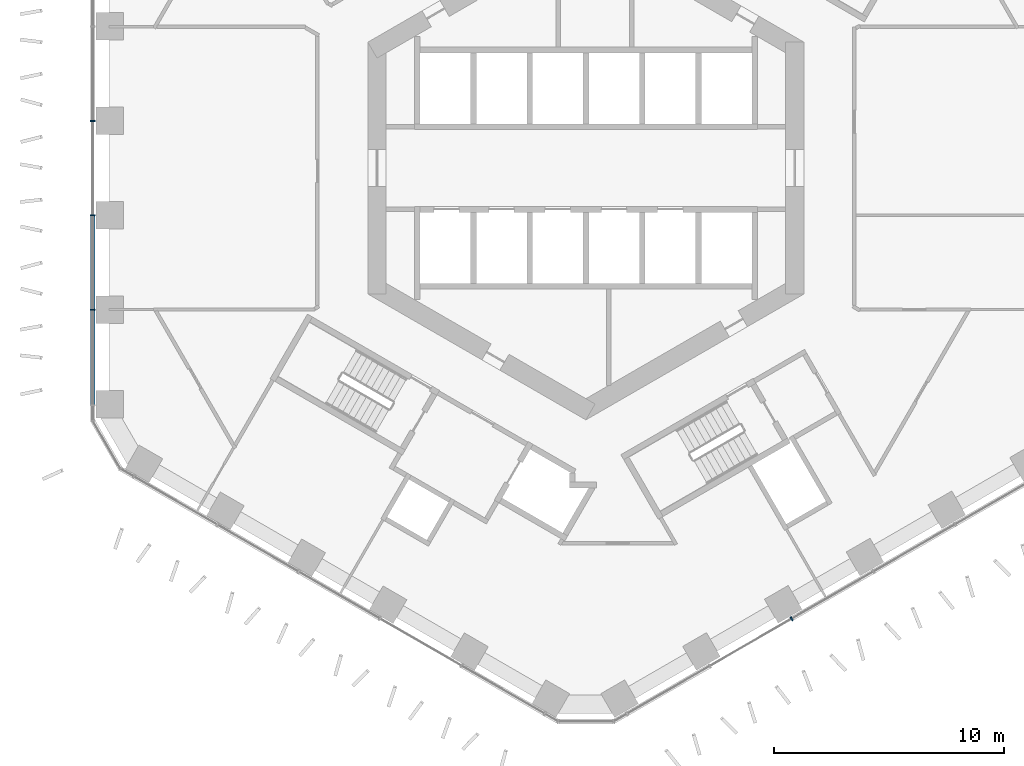
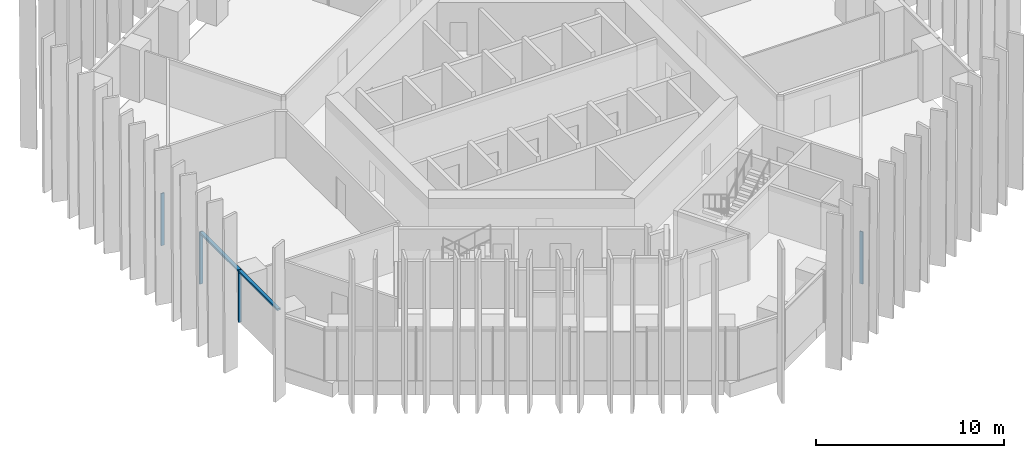
# One storey, part 3 of 18: 5 members, 2 elements without a shape of their own.
"""IFC4 building model written with IfcOpenShell, lengths in metres."""

from ifc_helpers import new_model, si_unit, direction, frame, origin, origin_2d, place, context, subcontext, project, spatial, rectangle, extrude, material, layer, layer_set, material_profile, profile_set, type_object, element, aggregate, save


model = new_model("IFC4")

# Units and contexts
model_context = context("Model", 3, precision=1e-05, world=origin(), true_north=direction((0.0, 1.0)))
body_context = subcontext(model_context, "Body", "Model", "MODEL_VIEW")
ifc_project = project(units=[si_unit("LENGTHUNIT", "METRE"), si_unit("AREAUNIT", "SQUARE_METRE"), si_unit("VOLUMEUNIT", "CUBIC_METRE"), si_unit("PLANEANGLEUNIT", "RADIAN"), si_unit("MASSUNIT", "GRAM", prefix="KILO")], contexts=[model_context])

# Site, building, storey
site_placement = place(None, origin())
site = spatial("IfcSite", under=ifc_project, at=site_placement, CompositionType="ELEMENT")
building_placement = place(site_placement, origin())
building = spatial("IfcBuilding", under=site, at=building_placement, Name="Ayvan Gate Tower", CompositionType="ELEMENT")
storey_placement = place(building_placement, frame((0.0, 0.0, 25.5)))
storey = spatial("IfcBuildingStorey", under=building, at=storey_placement, Name="L05", CompositionType="ELEMENT", Elevation=25.5)

# Curtain wall, members
ifc_material = material(Name="Bronze anodised aluminium", Category="aluminium")
ifc_layer = layer(ifc_material, 0.199951171875)
ifc_layer_set = layer_set([ifc_layer], Name="Bronze anodised aluminium")
curtain_wall_type = type_object("IfcCurtainWallType", Name="Stick curtain wall CW-1", PredefinedType="NOTDEFINED", material=ifc_layer_set)
curtain_wall_1_placement = place(storey_placement, origin())
curtain_wall_1 = element("IfcCurtainWall", 1, at=curtain_wall_1_placement, inside=storey, type_object=curtain_wall_type, Name="Stick curtain wall CW-1 L05", PredefinedType="NOTDEFINED")
ifc_material_profile_1 = material_profile(ifc_material, rectangle(XDim=0.199951171875, YDim=0.06005859375, at=origin_2d()), Name="Stick curtain wall CW-1 mullion 200 x 60")
ifc_profile_set_1 = profile_set([ifc_material_profile_1], Name="Bronze anodised aluminium")
member_type_1 = type_object("IfcMemberType", Name="Stick curtain wall CW-1 mullion 200 x 60", PredefinedType="MULLION", material=ifc_profile_set_1)
member_1_placement = place(storey_placement, frame((-21.484619140625, 2.05712890625, 0.0), z_axis=(0.0, 0.0, 1.0), x_axis=(-1.0, 0.0, 0.0)))
member_1 = element("IfcMember", 2, at=member_1_placement, type_object=member_type_1, Name="CW-1 mullion 3", PredefinedType="MULLION", context=body_context, shape_type="SweptSolid", body=[
    extrude(rectangle(XDim=0.199951171875, YDim=0.06005859375, at=origin_2d()), origin(), (0.0, 0.0, 1.0), 3.39990234375),
])
member_2_placement = place(storey_placement, frame((-21.484619140625, -2.056884765625, 0.0), z_axis=(0.0, 0.0, 1.0), x_axis=(-1.0, 0.0, 0.0)))
member_2 = element("IfcMember", 3, at=member_2_placement, type_object=member_type_1, Name="CW-1 mullion 4", PredefinedType="MULLION", context=body_context, shape_type="SweptSolid", body=[
    extrude(rectangle(XDim=0.199951171875, YDim=0.06005859375, at=origin_2d()), origin(), (0.0, 0.0, 1.0), 3.39990234375),
])
member_3_placement = place(storey_placement, frame((-21.484619140625, -6.1708984375, 0.0), z_axis=(0.0, 0.0, 1.0), x_axis=(-1.0, 0.0, 0.0)))
member_3 = element("IfcMember", 4, at=member_3_placement, type_object=member_type_1, Name="CW-1 mullion 5", PredefinedType="MULLION", context=body_context, shape_type="SweptSolid", body=[
    extrude(rectangle(XDim=0.199951171875, YDim=0.06005859375, at=origin_2d()), origin(), (0.0, 0.0, 1.0), 3.39990234375),
])

# Curtain wall, member
curtain_wall_2_placement = place(storey_placement, origin())
curtain_wall_2 = element("IfcCurtainWall", 5, at=curtain_wall_2_placement, inside=storey, type_object=curtain_wall_type, Name="Stick curtain wall CW-1 L05", PredefinedType="NOTDEFINED")
member_4_placement = place(storey_placement, frame((8.960693359375, -19.634765625, 0.0), z_axis=(0.0, 0.0, 1.0), x_axis=(0.5, -0.866025403784, 0.0)))
member_4 = element("IfcMember", 6, at=member_4_placement, type_object=member_type_1, Name="CW-1 mullion 3", PredefinedType="MULLION", context=body_context, shape_type="SweptSolid", body=[
    extrude(rectangle(XDim=0.199951171875, YDim=0.06005859375, at=origin_2d()), origin(), (0.0, 0.0, 1.0), 3.39990234375),
])
aggregate(curtain_wall_2, [member_4])

# Member
ifc_material_profile_2 = material_profile(ifc_material, rectangle(XDim=0.199951171875, YDim=0.1201171875, at=origin_2d()), Name="Stick curtain wall CW-1 transom 200 x 120")
ifc_profile_set_2 = profile_set([ifc_material_profile_2], Name="Bronze anodised aluminium")
member_type_2 = type_object("IfcMemberType", Name="Stick curtain wall CW-1 transom 200 x 120", PredefinedType="USERDEFINED", material=ifc_profile_set_2)
member_5_placement = place(storey_placement, frame((-21.484619140625, -2.0869140625, 3.340087890625), z_axis=(0.0, -1.0, 0.0), x_axis=(1.0, 0.0, 0.0)))
member_5 = element("IfcMember", 7, at=member_5_placement, type_object=member_type_2, Name="CW-1 transom 2", ObjectType="TRANSOM", PredefinedType="USERDEFINED", context=body_context, shape_type="SweptSolid", body=[
    extrude(rectangle(XDim=0.199951171875, YDim=0.1201171875, at=origin_2d()), origin(), (0.0, 0.0, 1.0), 8.2431640625),
])

aggregate(curtain_wall_1, [member_1, member_2, member_3, member_5])

save(model, "model.ifc")
